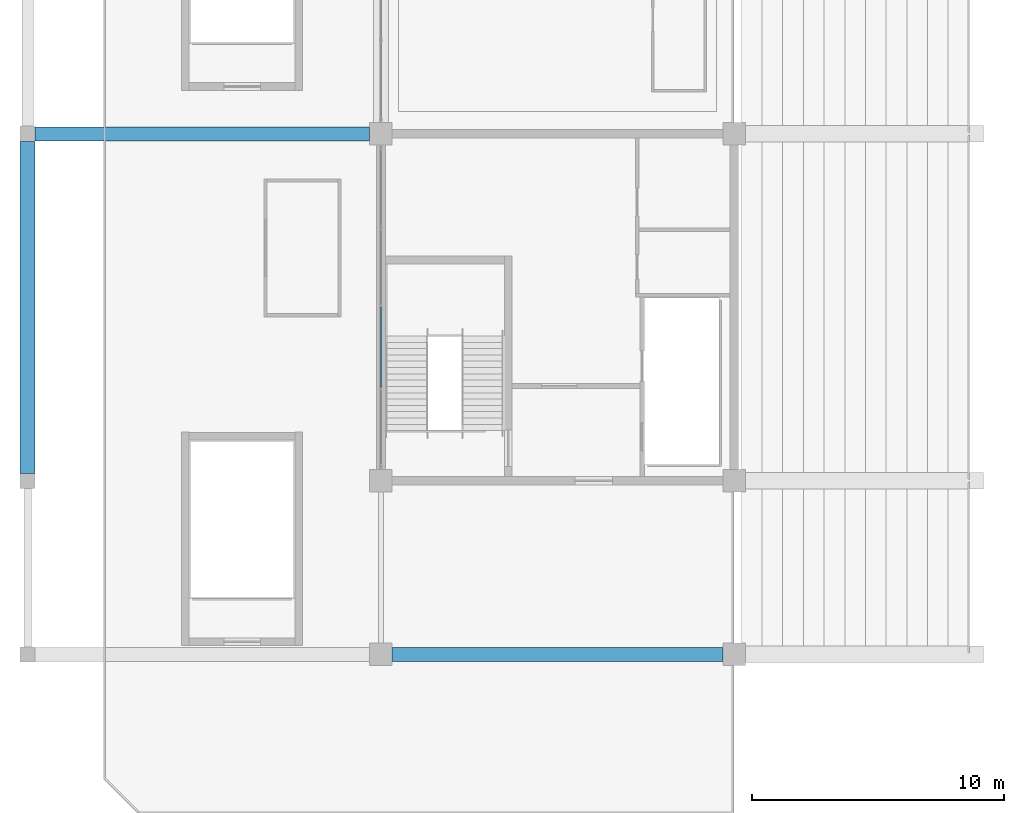
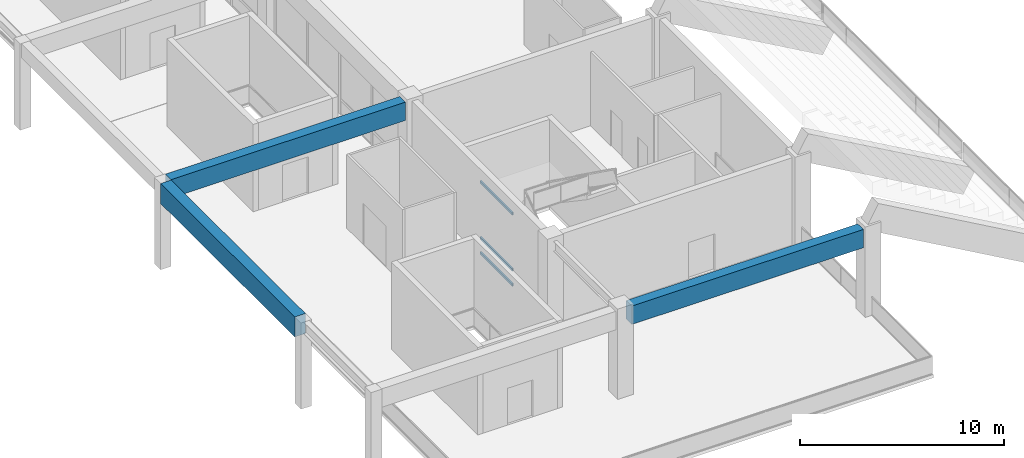
# One storey, part 13 of 90: 3 beams, 3 members, 1 element without a shape of its own.
"""IFC4 building model written with IfcOpenShell, lengths in metres."""

from ifc_helpers import new_model, si_unit, direction, frame, origin, origin_2d, place, context, subcontext, project, spatial, rectangle, hollow_rectangle, extrude, material, material_profile, profile_set, type_object, element, aggregate, save


model = new_model("IFC4")

# Units and contexts
model_context = context("Model", 3, precision=1e-05, world=origin(), true_north=direction((0.0, 1.0)))
body_context = subcontext(model_context, "Body", "Model", "MODEL_VIEW")
ifc_project = project(units=[si_unit("LENGTHUNIT", "METRE"), si_unit("AREAUNIT", "SQUARE_METRE"), si_unit("VOLUMEUNIT", "CUBIC_METRE"), si_unit("PLANEANGLEUNIT", "RADIAN"), si_unit("MASSUNIT", "GRAM", prefix="KILO")], contexts=[model_context])

# Site, building, storey
site_placement = place(None, origin())
site = spatial("IfcSite", under=ifc_project, at=site_placement, CompositionType="ELEMENT")
building_placement = place(site_placement, origin())
building = spatial("IfcBuilding", under=site, at=building_placement, Name="Linyun Crest Stadium", CompositionType="ELEMENT")
storey_placement = place(building_placement, frame((0.0, 0.0, 21.0)))
storey = spatial("IfcBuildingStorey", under=building, at=storey_placement, Name="L05", CompositionType="ELEMENT", Elevation=21.0)

# Beams
ifc_material_1 = material(Name="Concrete C50", Category="concrete")
ifc_material_profile_1 = material_profile(ifc_material_1, rectangle(XDim=0.550048828125, YDim=1.10009765625, at=origin_2d()), Name="RCB 1100x550")
ifc_profile_set_1 = profile_set([ifc_material_profile_1], Name="Concrete C50")
beam_type_1 = type_object("IfcBeamType", Name="TB01", PredefinedType="USERDEFINED", material=ifc_profile_set_1)
beam_1_placement = place(storey_placement, frame((-83.550048828125, -46.0, 4.610107421875), z_axis=(1.0, 0.0, 0.0), x_axis=(0.0, 1.0, 0.0)))
element("IfcBeam", 1, at=beam_1_placement, inside=storey, type_object=beam_type_1, Name="Frame beam TB01 L05 350", ObjectType="GIRDER", PredefinedType="USERDEFINED", context=body_context, shape_type="SweptSolid", body=[
    extrude(rectangle(XDim=0.550048828125, YDim=1.10009765625, at=origin_2d()), origin(), (0.0, 0.0, 1.0), 13.10009765625),
])
beam_2_placement = place(storey_placement, frame((-97.699951171875, -25.375, 4.610107421875), z_axis=(1.0, 0.0, 0.0), x_axis=(0.0, 1.0, 0.0)))
element("IfcBeam", 2, at=beam_2_placement, inside=storey, type_object=beam_type_1, Name="Frame beam TB01 L05 351", ObjectType="GIRDER", PredefinedType="USERDEFINED", context=body_context, shape_type="SweptSolid", body=[
    extrude(rectangle(XDim=0.550048828125, YDim=1.10009765625, at=origin_2d()), origin(), (0.0, 0.0, 1.0), 13.25),
])
ifc_material_2 = material(Name="Concrete C50", Category="concrete")
ifc_material_profile_2 = material_profile(ifc_material_2, rectangle(XDim=0.60009765625, YDim=1.199951171875, at=origin_2d()), Name="RCB 1200x600")
ifc_profile_set_2 = profile_set([ifc_material_profile_2], Name="Concrete C50")
beam_type_2 = type_object("IfcBeamType", Name="TB02", PredefinedType="USERDEFINED", material=ifc_profile_set_2)
beam_3_placement = place(storey_placement, frame((-98.0, -38.824951171875, 4.56005859375), z_axis=(0.0, 1.0, 0.0), x_axis=(-1.0, 0.0, 0.0)))
element("IfcBeam", 3, at=beam_3_placement, inside=storey, type_object=beam_type_2, Name="Frame beam TB02 L05 359", ObjectType="GIRDER", PredefinedType="USERDEFINED", context=body_context, shape_type="SweptSolid", body=[
    extrude(rectangle(XDim=0.60009765625, YDim=1.199951171875, at=origin_2d()), origin(), (0.0, 0.0, 1.0), 13.14990234375),
])

# Curtain wall, members
ifc_material_3 = material(Name="Verdigris steel and low-E curtain wall assembly", Category="steel")
curtain_wall_type = type_object("IfcCurtainWallType", Name="MCW01", PredefinedType="NOTDEFINED", material=ifc_material_3)
curtain_wall_placement = place(storey_placement, origin())
curtain_wall = element("IfcCurtainWall", 4, at=curtain_wall_placement, inside=storey, type_object=curtain_wall_type, Name="CWR-076", PredefinedType="NOTDEFINED")
ifc_material_4 = material(Name="Aluminium thermally broken transom", Category="aluminium")
ifc_material_profile_3 = material_profile(ifc_material_4, hollow_rectangle(XDim=0.080078125, YDim=0.159912109375, WallThickness=0.006103515625, at=origin_2d()), Name="RHS 160x80x6")
ifc_profile_set_3 = profile_set([ifc_material_profile_3], Name="Aluminium thermally broken transom")
member_type = type_object("IfcMemberType", Name="TR01", PredefinedType="USERDEFINED", material=ifc_profile_set_3)
member_1_placement = place(storey_placement, frame((-84.0, -35.412109375, 0.0), z_axis=(0.0, 1.0, 0.0), x_axis=(-1.0, 0.0, 0.0)))
member_1 = element("IfcMember", 5, at=member_1_placement, type_object=member_type, Name="CWR-076 transom 2.1", ObjectType="TRANSOM", PredefinedType="USERDEFINED", context=body_context, shape_type="SweptSolid", body=[
    extrude(hollow_rectangle(XDim=0.080078125, YDim=0.159912109375, WallThickness=0.006103515625, at=origin_2d()), origin(), (0.0, 0.0, 1.0), 3.162109375),
])
member_2_placement = place(storey_placement, frame((-84.0, -35.412109375, 0.89990234375), z_axis=(0.0, 1.0, 0.0), x_axis=(-1.0, 0.0, 0.0)))
member_2 = element("IfcMember", 6, at=member_2_placement, type_object=member_type, Name="CWR-076 transom 2.2", ObjectType="TRANSOM", PredefinedType="USERDEFINED", context=body_context, shape_type="SweptSolid", body=[
    extrude(hollow_rectangle(XDim=0.080078125, YDim=0.159912109375, WallThickness=0.006103515625, at=origin_2d()), origin(), (0.0, 0.0, 1.0), 3.162109375),
])
member_3_placement = place(storey_placement, frame((-84.0, -35.412109375, 4.25), z_axis=(0.0, 1.0, 0.0), x_axis=(-1.0, 0.0, 0.0)))
member_3 = element("IfcMember", 7, at=member_3_placement, type_object=member_type, Name="CWR-076 transom 2.3", ObjectType="TRANSOM", PredefinedType="USERDEFINED", context=body_context, shape_type="SweptSolid", body=[
    extrude(hollow_rectangle(XDim=0.080078125, YDim=0.159912109375, WallThickness=0.006103515625, at=origin_2d()), origin(), (0.0, 0.0, 1.0), 3.162109375),
])
aggregate(curtain_wall, [member_1, member_2, member_3])

save(model, "model.ifc")
